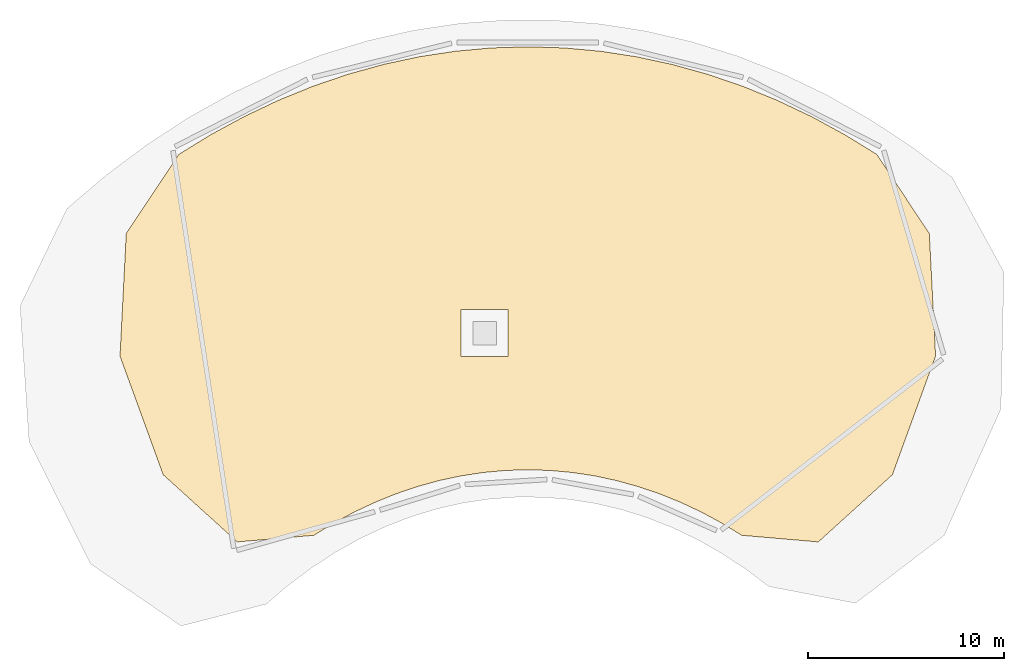
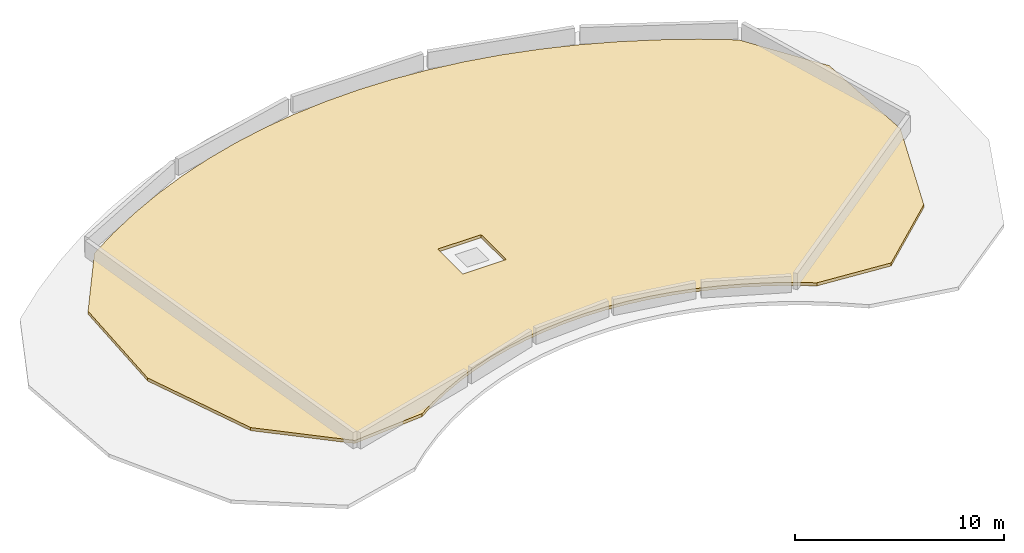
# One storey, part 2 of 2: 1 covering.
"""IFC4 building model written with IfcOpenShell, lengths in metres."""

from ifc_helpers import new_model, si_unit, direction, frame, origin, place, context, subcontext, project, spatial, polyline, outline, extrude, material, layer, layer_set, type_object, element, save


model = new_model("IFC4")

# Units and contexts
model_context = context("Model", 3, precision=1e-05, world=origin(), true_north=direction((0.0, 1.0)))
body_context = subcontext(model_context, "Body", "Model", "MODEL_VIEW")
ifc_project = project(units=[si_unit("LENGTHUNIT", "METRE"), si_unit("AREAUNIT", "SQUARE_METRE"), si_unit("VOLUMEUNIT", "CUBIC_METRE"), si_unit("PLANEANGLEUNIT", "RADIAN"), si_unit("MASSUNIT", "GRAM", prefix="KILO")], contexts=[model_context])

# Site, building, storey
site_placement = place(None, origin())
site = spatial("IfcSite", under=ifc_project, at=site_placement, CompositionType="ELEMENT")
building_placement = place(site_placement, origin())
building = spatial("IfcBuilding", under=site, at=building_placement, Name="Breltana Convention Tower", CompositionType="ELEMENT")
storey_placement = place(building_placement, frame((0.0, 0.0, 328.199951171875)))
storey = spatial("IfcBuildingStorey", under=building, at=storey_placement, Name="ROOF", CompositionType="ELEMENT", Elevation=328.199951171875)

# Covering
ifc_material = material(Name="Waterproof Insulated Bitumen Membrane")
ifc_layer = layer(ifc_material, 0.179931640625, Name="Waterproof Insulated Bitumen Membrane")
ifc_layer_set = layer_set([ifc_layer], Name="Waterproof Insulated Bitumen Membrane")
covering_type = type_object("IfcCoveringType", Name="COV-ROOFING-180", PredefinedType="ROOFING", material=ifc_layer_set)
covering_placement = place(storey_placement, origin())
element("IfcCovering", 1, at=covering_placement, inside=storey, type_object=covering_type, Name="Crown canopy insulated roof membrane", PredefinedType="ROOFING", context=body_context, shape_type="SweptSolid", body=[
    extrude(outline(polyline([(65.828369140625, 71.5302734375), (68.51513671875, 67.4873046875), (68.834228515625, 61.22412109375), (66.627685546875, 55.161865234375), (62.84326171875, 51.729248046875), (58.92919921875, 52.06689453125), (58.005859375, 52.635986328125), (57.98486328125, 52.648193359375), (56.95068359375, 53.2109375), (56.928466796875, 53.22216796875), (55.876220703125, 53.721435546875), (55.85302734375, 53.731689453125), (54.78515625, 54.16650390625), (54.7607421875, 54.175537109375), (53.67919921875, 54.544921875), (53.654052734375, 54.552734375), (52.56103515625, 54.85595703125), (52.53515625, 54.8623046875), (51.43310546875, 55.09912109375), (51.406494140625, 55.103759765625), (50.297607421875, 55.273193359375), (50.2705078125, 55.2763671875), (49.156982421875, 55.378173828125), (49.129638671875, 55.3798828125), (48.013671875, 55.413818359375), (47.986328125, 55.413818359375), (46.870361328125, 55.3798828125), (46.843017578125, 55.378173828125), (45.7294921875, 55.2763671875), (45.702392578125, 55.273193359375), (44.593505859375, 55.103759765625), (44.56689453125, 55.09912109375), (43.46484375, 54.8623046875), (43.43896484375, 54.85595703125), (42.345947265625, 54.552734375), (42.32080078125, 54.544921875), (41.2392578125, 54.175537109375), (41.21484375, 54.16650390625), (40.14697265625, 53.731689453125), (40.123779296875, 53.721435546875), (39.071533203125, 53.22216796875), (39.04931640625, 53.2109375), (38.01513671875, 52.648193359375), (37.994140625, 52.635986328125), (37.07080078125, 52.06689453125), (33.15673828125, 51.729248046875), (29.372314453125, 55.161865234375), (27.165771484375, 61.22412109375), (27.48486328125, 67.4873046875), (30.171630859375, 71.5302734375), (31.783935546875, 72.52392578125), (33.502685546875, 73.459228515625), (35.250732421875, 74.28857421875), (37.0244140625, 75.0107421875), (38.820068359375, 75.6240234375), (40.634033203125, 76.12744140625), (42.462646484375, 76.52001953125), (44.30224609375, 76.80078125), (46.1494140625, 76.969482421875), (48.0, 77.02587890625), (49.8505859375, 76.969482421875), (51.69775390625, 76.80078125), (53.537353515625, 76.52001953125), (55.365966796875, 76.12744140625), (57.179931640625, 75.6240234375), (58.9755859375, 75.0107421875), (60.749267578125, 74.28857421875), (62.497314453125, 73.459228515625), (64.216064453125, 72.52392578125), (65.828369140625, 71.5302734375)]), holes=[polyline([(44.60009765625, 61.199951171875), (47.0, 61.199951171875), (47.0, 63.60009765625), (44.60009765625, 63.60009765625), (44.60009765625, 61.199951171875)])]), origin(), (0.0, 0.0, 1.0), 0.179931640625),
])

save(model, "model.ifc")
